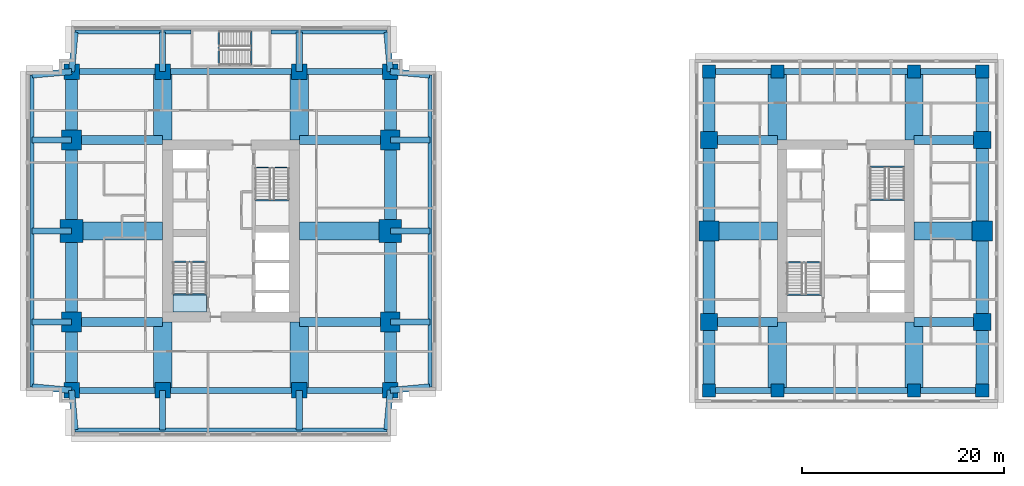
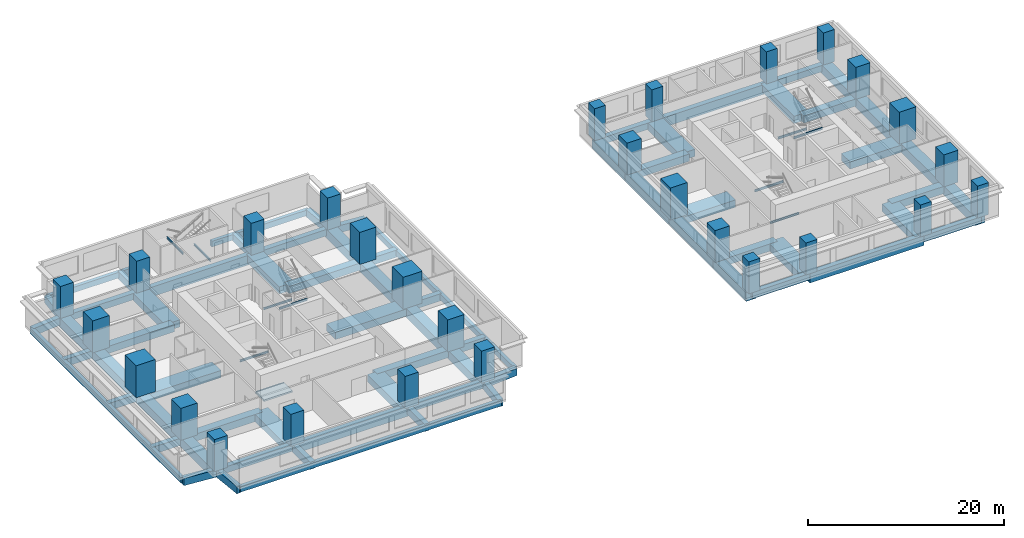
# One storey, part 1 of 11: 81 beams, 28 columns, 1 slab, 1 element without a shape of its own.
"""IFC4 building model written with IfcOpenShell, lengths in metres."""

from ifc_helpers import new_model, si_unit, direction, frame, origin, origin_2d, place, context, subcontext, project, spatial, polyline, rectangle, i_section, outline, extrude, material, layer, layer_set, material_profile, profile_set, type_object, element, aggregate, save


model = new_model("IFC4")

# Units and contexts
model_context = context("Model", 3, precision=1e-05, world=origin(), true_north=direction((0.0, 1.0)))
body_context = subcontext(model_context, "Body", "Model", "MODEL_VIEW")
ifc_project = project(units=[si_unit("LENGTHUNIT", "METRE"), si_unit("AREAUNIT", "SQUARE_METRE"), si_unit("VOLUMEUNIT", "CUBIC_METRE"), si_unit("PLANEANGLEUNIT", "RADIAN"), si_unit("MASSUNIT", "GRAM", prefix="KILO")], contexts=[model_context])

# Site, building, storey
site_placement = place(None, origin())
site = spatial("IfcSite", under=ifc_project, at=site_placement, CompositionType="ELEMENT")
building_placement = place(site_placement, origin())
building = spatial("IfcBuilding", under=site, at=building_placement, Name="Namib Vertical Campus", CompositionType="ELEMENT")
storey_placement = place(building_placement, frame((0.0, 0.0, 225.0)))
storey = spatial("IfcBuildingStorey", under=building, at=storey_placement, Name="L53", CompositionType="ELEMENT", Elevation=225.0)

# Columns
ifc_material_1 = material(Name="Concrete C60/75", Category="concrete")
ifc_material_profile_1 = material_profile(ifc_material_1, rectangle(XDim=1.300048828125, YDim=1.300048828125, at=origin_2d()))
ifc_profile_set_1 = profile_set([ifc_material_profile_1], Name="Concrete C60/75")
column_type_1 = type_object("IfcColumnType", Name="Column RC 1300x1300", PredefinedType="COLUMN", material=ifc_profile_set_1)
for number, where, z_axis, x_axis, name in (
    (1, (67.5, 4.5, 0.0), (0.0, 0.0, 1.0), (1.0, 0.0, 0.0), "Column C130 L53"),
    (2, (74.25, 4.5, 0.0), (0.0, 0.0, 1.0), (1.0, 0.0, 0.0), "Column C130 L53"),
    (3, (87.75, 4.5, 0.0), (0.0, 0.0, 1.0), (1.0, 0.0, 0.0), "Column C130 L53"),
    (4, (94.5, 4.5, 0.0), (0.0, 0.0, 1.0), (1.0, 0.0, 0.0), "Column C130 L53"),
    (5, (67.5, 36.0, 0.0), (0.0, 0.0, 1.0), (1.0, 0.0, 0.0), "Column C130 L53"),
    (6, (74.25, 36.0, 0.0), (0.0, 0.0, 1.0), (1.0, 0.0, 0.0), "Column C130 L53"),
    (7, (87.75, 36.0, 0.0), (0.0, 0.0, 1.0), (1.0, 0.0, 0.0), "Column C130 L53"),
    (8, (94.5, 36.0, 0.0), (0.0, 0.0, 1.0), (1.0, 0.0, 0.0), "Column C130 L53"),
):
    element("IfcColumn", number, at=place(storey_placement, frame(where, z_axis=z_axis, x_axis=x_axis)), inside=storey, type_object=column_type_1, Name=name, PredefinedType="COLUMN", context=body_context, shape_type="SweptSolid", body=[
        extrude(rectangle(XDim=1.300048828125, YDim=1.300048828125, at=origin_2d()), origin(), (0.0, 0.0, 1.0), 4.0),
    ])
ifc_material_2 = material(Name="Concrete C60/75", Category="concrete")
ifc_material_profile_2 = material_profile(ifc_material_2, rectangle(XDim=1.550048828125, YDim=1.550048828125, at=origin_2d()))
ifc_profile_set_2 = profile_set([ifc_material_profile_2], Name="Concrete C60/75")
column_type_2 = type_object("IfcColumnType", Name="Column RC 1550x1550", PredefinedType="COLUMN", material=ifc_profile_set_2)
for number, where, z_axis, x_axis, name in (
    (9, (4.5, 4.5, 0.0), (0.0, 0.0, 1.0), (1.0, 0.0, 0.0), "Column C155 L53"),
    (10, (13.5, 4.5, 0.0), (0.0, 0.0, 1.0), (1.0, 0.0, 0.0), "Column C155 L53"),
    (11, (27.0, 4.5, 0.0), (0.0, 0.0, 1.0), (1.0, 0.0, 0.0), "Column C155 L53"),
    (12, (36.0, 4.5, 0.0), (0.0, 0.0, 1.0), (1.0, 0.0, 0.0), "Column C155 L53"),
    (13, (4.5, 36.0, 0.0), (0.0, 0.0, 1.0), (1.0, 0.0, 0.0), "Column C155 L53"),
    (14, (13.5, 36.0, 0.0), (0.0, 0.0, 1.0), (1.0, 0.0, 0.0), "Column C155 L53"),
    (15, (27.0, 36.0, 0.0), (0.0, 0.0, 1.0), (1.0, 0.0, 0.0), "Column C155 L53"),
    (16, (36.0, 36.0, 0.0), (0.0, 0.0, 1.0), (1.0, 0.0, 0.0), "Column C155 L53"),
):
    element("IfcColumn", number, at=place(storey_placement, frame(where, z_axis=z_axis, x_axis=x_axis)), inside=storey, type_object=column_type_2, Name=name, PredefinedType="COLUMN", context=body_context, shape_type="SweptSolid", body=[
        extrude(rectangle(XDim=1.550048828125, YDim=1.550048828125, at=origin_2d()), origin(), (0.0, 0.0, 1.0), 4.0),
    ])
ifc_material_3 = material(Name="Concrete C60/75", Category="concrete")
ifc_material_profile_3 = material_profile(ifc_material_3, rectangle(XDim=1.699951171875, YDim=1.699951171875, at=origin_2d()))
ifc_profile_set_3 = profile_set([ifc_material_profile_3], Name="Concrete C60/75")
column_type_3 = type_object("IfcColumnType", Name="Column RC 1700x1700", PredefinedType="COLUMN", material=ifc_profile_set_3)
for number, where, z_axis, x_axis, name in (
    (17, (67.5, 11.25, 0.0), (0.0, 0.0, 1.0), (1.0, 0.0, 0.0), "Column C170 L53"),
    (18, (94.5, 11.25, 0.0), (0.0, 0.0, 1.0), (1.0, 0.0, 0.0), "Column C170 L53"),
    (19, (67.5, 29.25, 0.0), (0.0, 0.0, 1.0), (1.0, 0.0, 0.0), "Column C170 L53"),
    (20, (94.5, 29.25, 0.0), (0.0, 0.0, 1.0), (1.0, 0.0, 0.0), "Column C170 L53"),
):
    element("IfcColumn", number, at=place(storey_placement, frame(where, z_axis=z_axis, x_axis=x_axis)), inside=storey, type_object=column_type_3, Name=name, PredefinedType="COLUMN", context=body_context, shape_type="SweptSolid", body=[
        extrude(rectangle(XDim=1.699951171875, YDim=1.699951171875, at=origin_2d()), origin(), (0.0, 0.0, 1.0), 4.0),
    ])
ifc_material_4 = material(Name="Concrete C60/75", Category="concrete")
ifc_material_profile_4 = material_profile(ifc_material_4, rectangle(XDim=1.949951171875, YDim=1.949951171875, at=origin_2d()))
ifc_profile_set_4 = profile_set([ifc_material_profile_4], Name="Concrete C60/75")
column_type_4 = type_object("IfcColumnType", Name="Column RC 1950x1950", PredefinedType="COLUMN", material=ifc_profile_set_4)
for number, where, z_axis, x_axis, name in (
    (21, (4.5, 11.25, 0.0), (0.0, 0.0, 1.0), (1.0, 0.0, 0.0), "Column C195 L53"),
    (22, (36.0, 11.25, 0.0), (0.0, 0.0, 1.0), (1.0, 0.0, 0.0), "Column C195 L53"),
    (23, (4.5, 29.25, 0.0), (0.0, 0.0, 1.0), (1.0, 0.0, 0.0), "Column C195 L53"),
    (24, (36.0, 29.25, 0.0), (0.0, 0.0, 1.0), (1.0, 0.0, 0.0), "Column C195 L53"),
):
    element("IfcColumn", number, at=place(storey_placement, frame(where, z_axis=z_axis, x_axis=x_axis)), inside=storey, type_object=column_type_4, Name=name, PredefinedType="COLUMN", context=body_context, shape_type="SweptSolid", body=[
        extrude(rectangle(XDim=1.949951171875, YDim=1.949951171875, at=origin_2d()), origin(), (0.0, 0.0, 1.0), 4.0),
    ])
ifc_material_5 = material(Name="Concrete C60/75", Category="concrete")
ifc_material_profile_5 = material_profile(ifc_material_5, rectangle(XDim=2.0, YDim=2.0, at=origin_2d()))
ifc_profile_set_5 = profile_set([ifc_material_profile_5], Name="Concrete C60/75")
column_type_5 = type_object("IfcColumnType", Name="Column RC 2000x2000", PredefinedType="COLUMN", material=ifc_profile_set_5)
for number, where, z_axis, x_axis, name in (
    (25, (67.5, 20.25, 0.0), (0.0, 0.0, 1.0), (1.0, 0.0, 0.0), "Column C200 L53"),
    (26, (94.5, 20.25, 0.0), (0.0, 0.0, 1.0), (1.0, 0.0, 0.0), "Column C200 L53"),
):
    element("IfcColumn", number, at=place(storey_placement, frame(where, z_axis=z_axis, x_axis=x_axis)), inside=storey, type_object=column_type_5, Name=name, PredefinedType="COLUMN", context=body_context, shape_type="SweptSolid", body=[
        extrude(rectangle(XDim=2.0, YDim=2.0, at=origin_2d()), origin(), (0.0, 0.0, 1.0), 4.0),
    ])
ifc_material_6 = material(Name="Concrete C60/75", Category="concrete")
ifc_material_profile_6 = material_profile(ifc_material_6, rectangle(XDim=2.25, YDim=2.25, at=origin_2d()))
ifc_profile_set_6 = profile_set([ifc_material_profile_6], Name="Concrete C60/75")
column_type_6 = type_object("IfcColumnType", Name="Column RC 2250x2250", PredefinedType="COLUMN", material=ifc_profile_set_6)
for number, where, z_axis, x_axis, name in (
    (27, (4.5, 20.25, 0.0), (0.0, 0.0, 1.0), (1.0, 0.0, 0.0), "Column C225 L53"),
    (28, (36.0, 20.25, 0.0), (0.0, 0.0, 1.0), (1.0, 0.0, 0.0), "Column C225 L53"),
):
    element("IfcColumn", number, at=place(storey_placement, frame(where, z_axis=z_axis, x_axis=x_axis)), inside=storey, type_object=column_type_6, Name=name, PredefinedType="COLUMN", context=body_context, shape_type="SweptSolid", body=[
        extrude(rectangle(XDim=2.25, YDim=2.25, at=origin_2d()), origin(), (0.0, 0.0, 1.0), 4.0),
    ])

# Beams
ifc_material_7 = material(Name="Concrete C40/50", Category="concrete")
ifc_material_profile_7 = material_profile(ifc_material_7, rectangle(XDim=0.60009765625, YDim=0.89990234375, at=origin_2d()))
ifc_profile_set_7 = profile_set([ifc_material_profile_7], Name="Concrete C40/50")
beam_type_1 = type_object("IfcBeamType", Name="Cantilever girder RC 600x900", PredefinedType="BEAM", material=ifc_profile_set_7)
beam_1_placement = place(storey_placement, frame((4.5, 4.5, -0.699951171875), z_axis=(0.089411326146, -0.995994786511, 0.0), x_axis=(0.995994786511, 0.089411326146, 0.0)))
element("IfcBeam", 29, at=beam_1_placement, inside=storey, type_object=beam_type_1, Name="Beam B3 L53", PredefinedType="BEAM", context=body_context, shape_type="SweptSolid", body=[
    extrude(rectangle(XDim=0.60009765625, YDim=0.89990234375, at=origin_2d()), origin(), (0.0, 0.0, 1.0), 3.91552734375),
])
for number, where, z_axis, x_axis, name in (
    (30, (13.5, 4.5, -0.699951171875), (0.0, -1.0, 0.0), (1.0, 0.0, 0.0), "Beam B3 L53"),
    (31, (27.0, 4.5, -0.699951171875), (0.0, -1.0, 0.0), (1.0, 0.0, 0.0), "Beam B3 L53"),
):
    element("IfcBeam", number, at=place(storey_placement, frame(where, z_axis=z_axis, x_axis=x_axis)), inside=storey, type_object=beam_type_1, Name=name, PredefinedType="BEAM", context=body_context, shape_type="SweptSolid", body=[
        extrude(rectangle(XDim=0.60009765625, YDim=0.89990234375, at=origin_2d()), origin(), (0.0, 0.0, 1.0), 3.89990234375),
    ])
for number, where, z_axis, x_axis, name in (
    (32, (36.0, 4.5, -0.699951171875), (-0.089411326146, -0.995994786511, 0.0), (0.995994786511, -0.089411326146, 0.0), "Beam B3 L53"),
    (33, (4.5, 36.0, -0.699951171875), (0.089411326146, 0.995994786511, 0.0), (-0.995994786511, 0.089411326146, 0.0), "Beam B3 L53"),
):
    element("IfcBeam", number, at=place(storey_placement, frame(where, z_axis=z_axis, x_axis=x_axis)), inside=storey, type_object=beam_type_1, Name=name, PredefinedType="BEAM", context=body_context, shape_type="SweptSolid", body=[
        extrude(rectangle(XDim=0.60009765625, YDim=0.89990234375, at=origin_2d()), origin(), (0.0, 0.0, 1.0), 3.91552734375),
    ])
for number, where, z_axis, x_axis, name in (
    (34, (13.5, 36.0, -0.699951171875), (0.0, 1.0, 0.0), (-1.0, 0.0, 0.0), "Beam B3 L53"),
    (35, (27.0, 36.0, -0.699951171875), (0.0, 1.0, 0.0), (-1.0, 0.0, 0.0), "Beam B3 L53"),
):
    element("IfcBeam", number, at=place(storey_placement, frame(where, z_axis=z_axis, x_axis=x_axis)), inside=storey, type_object=beam_type_1, Name=name, PredefinedType="BEAM", context=body_context, shape_type="SweptSolid", body=[
        extrude(rectangle(XDim=0.60009765625, YDim=0.89990234375, at=origin_2d()), origin(), (0.0, 0.0, 1.0), 3.89990234375),
    ])
for number, where, z_axis, x_axis, name in (
    (36, (36.0, 36.0, -0.699951171875), (-0.089411326146, 0.995994786511, 0.0), (-0.995994786511, -0.089411326146, 0.0), "Beam B3 L53"),
    (37, (4.5, 4.5, -0.699951171875), (-0.995994786511, 0.089411326146, 0.0), (-0.089411326146, -0.995994786511, 0.0), "Beam B3 L53"),
):
    element("IfcBeam", number, at=place(storey_placement, frame(where, z_axis=z_axis, x_axis=x_axis)), inside=storey, type_object=beam_type_1, Name=name, PredefinedType="BEAM", context=body_context, shape_type="SweptSolid", body=[
        extrude(rectangle(XDim=0.60009765625, YDim=0.89990234375, at=origin_2d()), origin(), (0.0, 0.0, 1.0), 3.91552734375),
    ])
for number, where, z_axis, x_axis, name in (
    (38, (4.5, 11.25, -0.699951171875), (-1.0, 0.0, 0.0), (0.0, -1.0, 0.0), "Beam B3 L53"),
    (39, (4.5, 20.25, -0.699951171875), (-1.0, 0.0, 0.0), (0.0, -1.0, 0.0), "Beam B3 L53"),
    (40, (4.5, 29.25, -0.699951171875), (-1.0, 0.0, 0.0), (0.0, -1.0, 0.0), "Beam B3 L53"),
):
    element("IfcBeam", number, at=place(storey_placement, frame(where, z_axis=z_axis, x_axis=x_axis)), inside=storey, type_object=beam_type_1, Name=name, PredefinedType="BEAM", context=body_context, shape_type="SweptSolid", body=[
        extrude(rectangle(XDim=0.60009765625, YDim=0.89990234375, at=origin_2d()), origin(), (0.0, 0.0, 1.0), 3.89990234375),
    ])
for number, where, z_axis, x_axis, name in (
    (41, (4.5, 36.0, -0.699951171875), (-0.995994786511, -0.089411326146, 0.0), (0.089411326146, -0.995994786511, 0.0), "Beam B3 L53"),
    (42, (36.0, 4.5, -0.699951171875), (0.995994786511, 0.089411326146, 0.0), (-0.089411326146, 0.995994786511, 0.0), "Beam B3 L53"),
):
    element("IfcBeam", number, at=place(storey_placement, frame(where, z_axis=z_axis, x_axis=x_axis)), inside=storey, type_object=beam_type_1, Name=name, PredefinedType="BEAM", context=body_context, shape_type="SweptSolid", body=[
        extrude(rectangle(XDim=0.60009765625, YDim=0.89990234375, at=origin_2d()), origin(), (0.0, 0.0, 1.0), 3.91552734375),
    ])
for number, where, z_axis, x_axis, name in (
    (43, (36.0, 11.25, -0.699951171875), (1.0, 0.0, 0.0), (0.0, 1.0, 0.0), "Beam B3 L53"),
    (44, (36.0, 20.25, -0.699951171875), (1.0, 0.0, 0.0), (0.0, 1.0, 0.0), "Beam B3 L53"),
    (45, (36.0, 29.25, -0.699951171875), (1.0, 0.0, 0.0), (0.0, 1.0, 0.0), "Beam B3 L53"),
):
    element("IfcBeam", number, at=place(storey_placement, frame(where, z_axis=z_axis, x_axis=x_axis)), inside=storey, type_object=beam_type_1, Name=name, PredefinedType="BEAM", context=body_context, shape_type="SweptSolid", body=[
        extrude(rectangle(XDim=0.60009765625, YDim=0.89990234375, at=origin_2d()), origin(), (0.0, 0.0, 1.0), 3.89990234375),
    ])
beam_2_placement = place(storey_placement, frame((36.0, 36.0, -0.699951171875), z_axis=(0.995994786511, -0.089411326146, 0.0), x_axis=(0.089411326146, 0.995994786511, 0.0)))
element("IfcBeam", 46, at=beam_2_placement, inside=storey, type_object=beam_type_1, Name="Beam B3 L53", PredefinedType="BEAM", context=body_context, shape_type="SweptSolid", body=[
    extrude(rectangle(XDim=0.60009765625, YDim=0.89990234375, at=origin_2d()), origin(), (0.0, 0.0, 1.0), 3.91552734375),
])
ifc_material_8 = material(Name="Concrete C40/50", Category="concrete")
ifc_material_profile_8 = material_profile(ifc_material_8, rectangle(XDim=0.39990234375, YDim=0.699951171875, at=origin_2d()))
ifc_profile_set_8 = profile_set([ifc_material_profile_8], Name="Concrete C40/50")
beam_type_2 = type_object("IfcBeamType", Name="Edge beam RC 400x700", PredefinedType="SPANDREL", material=ifc_profile_set_8)
beam_3_placement = place(storey_placement, frame((4.85009765625, 0.60009765625, -0.60009765625), z_axis=(1.0, 0.0, 0.0), x_axis=(0.0, 1.0, 0.0)))
element("IfcBeam", 47, at=beam_3_placement, inside=storey, type_object=beam_type_2, Name="Beam B4 L53", PredefinedType="SPANDREL", context=body_context, shape_type="SweptSolid", body=[
    extrude(rectangle(XDim=0.39990234375, YDim=0.699951171875, at=origin_2d()), origin(), (0.0, 0.0, 1.0), 30.7998046875),
])
for number, where, z_axis, x_axis, name in (
    (48, (4.85009765625, 39.89990234375, -0.60009765625), (1.0, 0.0, 0.0), (0.0, 1.0, 0.0), "Beam B4 L53"),
    (49, (24.199951171875, 39.89990234375, -0.60009765625), (1.0, 0.0, 0.0), (0.0, 1.0, 0.0), "Beam B4 L53"),
):
    element("IfcBeam", number, at=place(storey_placement, frame(where, z_axis=z_axis, x_axis=x_axis)), inside=storey, type_object=beam_type_2, Name=name, PredefinedType="SPANDREL", context=body_context, shape_type="SweptSolid", body=[
        extrude(rectangle(XDim=0.39990234375, YDim=0.699951171875, at=origin_2d()), origin(), (0.0, 0.0, 1.0), 11.449951171875),
    ])
for number, where, z_axis, x_axis, name in (
    (50, (0.60009765625, 4.85009765625, -0.60009765625), (0.0, 1.0, 0.0), (-1.0, 0.0, 0.0), "Beam B4 L53"),
    (51, (39.89990234375, 4.85009765625, -0.60009765625), (0.0, 1.0, 0.0), (-1.0, 0.0, 0.0), "Beam B4 L53"),
):
    element("IfcBeam", number, at=place(storey_placement, frame(where, z_axis=z_axis, x_axis=x_axis)), inside=storey, type_object=beam_type_2, Name=name, PredefinedType="SPANDREL", context=body_context, shape_type="SweptSolid", body=[
        extrude(rectangle(XDim=0.39990234375, YDim=0.699951171875, at=origin_2d()), origin(), (0.0, 0.0, 1.0), 30.7998046875),
    ])
ifc_material_9 = material(Name="Concrete C40/50", Category="concrete")
ifc_material_profile_9 = material_profile(ifc_material_9, rectangle(XDim=0.89990234375, YDim=0.89990234375, at=origin_2d()))
ifc_profile_set_9 = profile_set([ifc_material_profile_9], Name="Concrete C40/50")
beam_type_3 = type_object("IfcBeamType", Name="Face girder RC 900x900", PredefinedType="BEAM", material=ifc_profile_set_9)
for number, where, z_axis, x_axis, name in (
    (52, (4.5, 11.25, -0.699951171875), (1.0, 0.0, 0.0), (0.0, 1.0, 0.0), "Beam B10 L53"),
    (53, (36.0, 11.25, -0.699951171875), (-1.0, 0.0, 0.0), (0.0, -1.0, 0.0), "Beam B10 L53"),
    (54, (4.5, 29.25, -0.699951171875), (1.0, 0.0, 0.0), (0.0, 1.0, 0.0), "Beam B10 L53"),
    (55, (36.0, 29.25, -0.699951171875), (-1.0, 0.0, 0.0), (0.0, -1.0, 0.0), "Beam B10 L53"),
):
    element("IfcBeam", number, at=place(storey_placement, frame(where, z_axis=z_axis, x_axis=x_axis)), inside=storey, type_object=beam_type_3, Name=name, PredefinedType="BEAM", context=body_context, shape_type="SweptSolid", body=[
        extrude(rectangle(XDim=0.89990234375, YDim=0.89990234375, at=origin_2d()), origin(), (0.0, 0.0, 1.0), 9.0),
    ])
for number, where, z_axis, x_axis, name in (
    (56, (67.5, 11.25, -0.699951171875), (1.0, 0.0, 0.0), (0.0, 1.0, 0.0), "Beam B10 L53"),
    (57, (94.5, 11.25, -0.699951171875), (-1.0, 0.0, 0.0), (0.0, -1.0, 0.0), "Beam B10 L53"),
    (58, (67.5, 29.25, -0.699951171875), (1.0, 0.0, 0.0), (0.0, 1.0, 0.0), "Beam B10 L53"),
    (59, (94.5, 29.25, -0.699951171875), (-1.0, 0.0, 0.0), (0.0, -1.0, 0.0), "Beam B10 L53"),
):
    element("IfcBeam", number, at=place(storey_placement, frame(where, z_axis=z_axis, x_axis=x_axis)), inside=storey, type_object=beam_type_3, Name=name, PredefinedType="BEAM", context=body_context, shape_type="SweptSolid", body=[
        extrude(rectangle(XDim=0.89990234375, YDim=0.89990234375, at=origin_2d()), origin(), (0.0, 0.0, 1.0), 6.75),
    ])
ifc_material_10 = material(Name="Concrete C40/50", Category="concrete")
ifc_material_profile_10 = material_profile(ifc_material_10, rectangle(XDim=1.199951171875, YDim=1.10009765625, at=origin_2d()))
ifc_profile_set_10 = profile_set([ifc_material_profile_10], Name="Concrete C40/50")
beam_type_4 = type_object("IfcBeamType", Name="Face ring beam RC 1200x1100", PredefinedType="BEAM", material=ifc_profile_set_10)
beam_4_placement = place(storey_placement, frame((4.5, 4.5, -0.800048828125), z_axis=(0.0, 1.0, 0.0), x_axis=(-1.0, 0.0, 0.0)))
element("IfcBeam", 60, at=beam_4_placement, inside=storey, type_object=beam_type_4, Name="Beam B11 L53", PredefinedType="BEAM", context=body_context, shape_type="SweptSolid", body=[
    extrude(rectangle(XDim=1.199951171875, YDim=1.10009765625, at=origin_2d()), origin(), (0.0, 0.0, 1.0), 6.75),
])
for number, where, z_axis, x_axis, name in (
    (61, (4.5, 11.25, -0.800048828125), (0.0, 1.0, 0.0), (-1.0, 0.0, 0.0), "Beam B11 L53"),
    (62, (4.5, 20.25, -0.800048828125), (0.0, 1.0, 0.0), (-1.0, 0.0, 0.0), "Beam B11 L53"),
):
    element("IfcBeam", number, at=place(storey_placement, frame(where, z_axis=z_axis, x_axis=x_axis)), inside=storey, type_object=beam_type_4, Name=name, PredefinedType="BEAM", context=body_context, shape_type="SweptSolid", body=[
        extrude(rectangle(XDim=1.199951171875, YDim=1.10009765625, at=origin_2d()), origin(), (0.0, 0.0, 1.0), 9.0),
    ])
for number, where, z_axis, x_axis, name in (
    (63, (4.5, 29.25, -0.800048828125), (0.0, 1.0, 0.0), (-1.0, 0.0, 0.0), "Beam B11 L53"),
    (64, (36.0, 4.5, -0.800048828125), (0.0, 1.0, 0.0), (-1.0, 0.0, 0.0), "Beam B11 L53"),
):
    element("IfcBeam", number, at=place(storey_placement, frame(where, z_axis=z_axis, x_axis=x_axis)), inside=storey, type_object=beam_type_4, Name=name, PredefinedType="BEAM", context=body_context, shape_type="SweptSolid", body=[
        extrude(rectangle(XDim=1.199951171875, YDim=1.10009765625, at=origin_2d()), origin(), (0.0, 0.0, 1.0), 6.75),
    ])
for number, where, z_axis, x_axis, name in (
    (65, (36.0, 11.25, -0.800048828125), (0.0, 1.0, 0.0), (-1.0, 0.0, 0.0), "Beam B11 L53"),
    (66, (36.0, 20.25, -0.800048828125), (0.0, 1.0, 0.0), (-1.0, 0.0, 0.0), "Beam B11 L53"),
):
    element("IfcBeam", number, at=place(storey_placement, frame(where, z_axis=z_axis, x_axis=x_axis)), inside=storey, type_object=beam_type_4, Name=name, PredefinedType="BEAM", context=body_context, shape_type="SweptSolid", body=[
        extrude(rectangle(XDim=1.199951171875, YDim=1.10009765625, at=origin_2d()), origin(), (0.0, 0.0, 1.0), 9.0),
    ])
for number, where, z_axis, x_axis, name in (
    (67, (36.0, 29.25, -0.800048828125), (0.0, 1.0, 0.0), (-1.0, 0.0, 0.0), "Beam B11 L53"),
    (68, (67.5, 4.5, -0.800048828125), (0.0, 1.0, 0.0), (-1.0, 0.0, 0.0), "Beam B11 L53"),
):
    element("IfcBeam", number, at=place(storey_placement, frame(where, z_axis=z_axis, x_axis=x_axis)), inside=storey, type_object=beam_type_4, Name=name, PredefinedType="BEAM", context=body_context, shape_type="SweptSolid", body=[
        extrude(rectangle(XDim=1.199951171875, YDim=1.10009765625, at=origin_2d()), origin(), (0.0, 0.0, 1.0), 6.75),
    ])
for number, where, z_axis, x_axis, name in (
    (69, (67.5, 11.25, -0.800048828125), (0.0, 1.0, 0.0), (-1.0, 0.0, 0.0), "Beam B11 L53"),
    (70, (67.5, 20.25, -0.800048828125), (0.0, 1.0, 0.0), (-1.0, 0.0, 0.0), "Beam B11 L53"),
):
    element("IfcBeam", number, at=place(storey_placement, frame(where, z_axis=z_axis, x_axis=x_axis)), inside=storey, type_object=beam_type_4, Name=name, PredefinedType="BEAM", context=body_context, shape_type="SweptSolid", body=[
        extrude(rectangle(XDim=1.199951171875, YDim=1.10009765625, at=origin_2d()), origin(), (0.0, 0.0, 1.0), 9.0),
    ])
for number, where, z_axis, x_axis, name in (
    (71, (67.5, 29.25, -0.800048828125), (0.0, 1.0, 0.0), (-1.0, 0.0, 0.0), "Beam B11 L53"),
    (72, (94.5, 4.5, -0.800048828125), (0.0, 1.0, 0.0), (-1.0, 0.0, 0.0), "Beam B11 L53"),
):
    element("IfcBeam", number, at=place(storey_placement, frame(where, z_axis=z_axis, x_axis=x_axis)), inside=storey, type_object=beam_type_4, Name=name, PredefinedType="BEAM", context=body_context, shape_type="SweptSolid", body=[
        extrude(rectangle(XDim=1.199951171875, YDim=1.10009765625, at=origin_2d()), origin(), (0.0, 0.0, 1.0), 6.75),
    ])
for number, where, z_axis, x_axis, name in (
    (73, (94.5, 11.25, -0.800048828125), (0.0, 1.0, 0.0), (-1.0, 0.0, 0.0), "Beam B11 L53"),
    (74, (94.5, 20.25, -0.800048828125), (0.0, 1.0, 0.0), (-1.0, 0.0, 0.0), "Beam B11 L53"),
):
    element("IfcBeam", number, at=place(storey_placement, frame(where, z_axis=z_axis, x_axis=x_axis)), inside=storey, type_object=beam_type_4, Name=name, PredefinedType="BEAM", context=body_context, shape_type="SweptSolid", body=[
        extrude(rectangle(XDim=1.199951171875, YDim=1.10009765625, at=origin_2d()), origin(), (0.0, 0.0, 1.0), 9.0),
    ])
beam_5_placement = place(storey_placement, frame((94.5, 29.25, -0.800048828125), z_axis=(0.0, 1.0, 0.0), x_axis=(-1.0, 0.0, 0.0)))
element("IfcBeam", 75, at=beam_5_placement, inside=storey, type_object=beam_type_4, Name="Beam B11 L53", PredefinedType="BEAM", context=body_context, shape_type="SweptSolid", body=[
    extrude(rectangle(XDim=1.199951171875, YDim=1.10009765625, at=origin_2d()), origin(), (0.0, 0.0, 1.0), 6.75),
])
ifc_material_11 = material(Name="Steel S355JR", Category="steel")
ifc_material_profile_11 = material_profile(ifc_material_11, i_section(OverallWidth=0.14599609375, OverallDepth=0.25146484375, WebThickness=0.006103515625, FlangeThickness=0.008544921875, FilletRadius=0.007568359375, at=origin_2d()))
ifc_profile_set_11 = profile_set([ifc_material_profile_11], Name="Steel S355JR")
beam_type_5 = type_object("IfcBeamType", Name="Landing trimmer UB 254x146x31", PredefinedType="BEAM", material=ifc_profile_set_11)
for number, where, z_axis, x_axis, name in (
    (76, (14.5, 13.97705078125, -0.125732421875), (1.0, 0.0, 0.0), (0.0, 1.0, 0.0), "Landing trimmer LT1 A-S1 L53 1"),
    (77, (14.5, 17.203125, 1.874267578125), (1.0, 0.0, 0.0), (0.0, 1.0, 0.0), "Landing trimmer LT1 A-S1 L53 2"),
    (78, (22.64990234375, 26.52294921875, -0.125732421875), (1.0, 0.0, 0.0), (0.0, 1.0, 0.0), "Landing trimmer LT1 A-S2 L53 1"),
    (79, (22.64990234375, 23.296875, 1.874267578125), (1.0, 0.0, 0.0), (0.0, 1.0, 0.0), "Landing trimmer LT1 A-S2 L53 2"),
):
    element("IfcBeam", number, at=place(storey_placement, frame(where, z_axis=z_axis, x_axis=x_axis)), inside=storey, type_object=beam_type_5, Name=name, PredefinedType="BEAM", context=body_context, shape_type="SweptSolid", body=[
        extrude(i_section(OverallWidth=0.14599609375, OverallDepth=0.25146484375, WebThickness=0.006103515625, FlangeThickness=0.008544921875, FilletRadius=0.007568359375, at=origin_2d()), origin(), (0.0, 0.0, 1.0), 3.35009765625),
    ])
for number, where, z_axis, x_axis, name in (
    (80, (75.199951171875, 13.927001953125, -0.125732421875), (1.0, 0.0, 0.0), (0.0, 1.0, 0.0), "Landing trimmer LT1 B-S1 L53 1"),
    (81, (75.199951171875, 17.153076171875, 1.874267578125), (1.0, 0.0, 0.0), (0.0, 1.0, 0.0), "Landing trimmer LT1 B-S1 L53 2"),
    (82, (83.39990234375, 26.572998046875, -0.125732421875), (1.0, 0.0, 0.0), (0.0, 1.0, 0.0), "Landing trimmer LT1 B-S2 L53 1"),
    (83, (83.39990234375, 23.346923828125, 1.874267578125), (1.0, 0.0, 0.0), (0.0, 1.0, 0.0), "Landing trimmer LT1 B-S2 L53 2"),
):
    element("IfcBeam", number, at=place(storey_placement, frame(where, z_axis=z_axis, x_axis=x_axis)), inside=storey, type_object=beam_type_5, Name=name, PredefinedType="BEAM", context=body_context, shape_type="SweptSolid", body=[
        extrude(i_section(OverallWidth=0.14599609375, OverallDepth=0.25146484375, WebThickness=0.006103515625, FlangeThickness=0.008544921875, FilletRadius=0.007568359375, at=origin_2d()), origin(), (0.0, 0.0, 1.0), 3.400146484375),
    ])
for number, where, z_axis, x_axis, name in (
    (84, (22.27294921875, 36.64990234375, -0.125732421875), (0.0, 1.0, 0.0), (-1.0, 0.0, 0.0), "Landing trimmer LT1 A-S3 L53 1"),
    (85, (19.046875, 36.64990234375, 1.874267578125), (0.0, 1.0, 0.0), (-1.0, 0.0, 0.0), "Landing trimmer LT1 A-S3 L53 2"),
):
    element("IfcBeam", number, at=place(storey_placement, frame(where, z_axis=z_axis, x_axis=x_axis)), inside=storey, type_object=beam_type_5, Name=name, PredefinedType="BEAM", context=body_context, shape_type="SweptSolid", body=[
        extrude(i_section(OverallWidth=0.14599609375, OverallDepth=0.25146484375, WebThickness=0.006103515625, FlangeThickness=0.008544921875, FilletRadius=0.007568359375, at=origin_2d()), origin(), (0.0, 0.0, 1.0), 3.35009765625),
    ])
ifc_material_12 = material(Name="Concrete C40/50", Category="concrete")
ifc_material_profile_12 = material_profile(ifc_material_12, rectangle(XDim=0.60009765625, YDim=1.199951171875, at=origin_2d()))
ifc_profile_set_12 = profile_set([ifc_material_profile_12], Name="Concrete C40/50")
beam_type_6 = type_object("IfcBeamType", Name="Long-span ring beam RC 600x1200", PredefinedType="BEAM", material=ifc_profile_set_12)
for number, where, z_axis, x_axis, name in (
    (86, (13.5, 4.5, -0.85009765625), (1.0, 0.0, 0.0), (0.0, 1.0, 0.0), "Beam B9 L53"),
    (87, (13.5, 36.0, -0.85009765625), (1.0, 0.0, 0.0), (0.0, 1.0, 0.0), "Beam B9 L53"),
    (88, (74.25, 4.5, -0.85009765625), (1.0, 0.0, 0.0), (0.0, 1.0, 0.0), "Beam B9 L53"),
    (89, (74.25, 36.0, -0.85009765625), (1.0, 0.0, 0.0), (0.0, 1.0, 0.0), "Beam B9 L53"),
):
    element("IfcBeam", number, at=place(storey_placement, frame(where, z_axis=z_axis, x_axis=x_axis)), inside=storey, type_object=beam_type_6, Name=name, PredefinedType="BEAM", context=body_context, shape_type="SweptSolid", body=[
        extrude(rectangle(XDim=0.60009765625, YDim=1.199951171875, at=origin_2d()), origin(), (0.0, 0.0, 1.0), 13.5),
    ])
ifc_material_13 = material(Name="Concrete C40/50", Category="concrete")
ifc_material_profile_13 = material_profile(ifc_material_13, rectangle(XDim=1.800048828125, YDim=0.89990234375, at=origin_2d()))
ifc_profile_set_13 = profile_set([ifc_material_profile_13], Name="Concrete C40/50")
beam_type_7 = type_object("IfcBeamType", Name="Outrigger line girder RC 1800x900", PredefinedType="BEAM", material=ifc_profile_set_13)
for number, where, z_axis, x_axis, name in (
    (90, (13.5, 4.5, -0.699951171875), (0.0, 1.0, 0.0), (-1.0, 0.0, 0.0), "Beam B12 L53"),
    (91, (13.5, 36.0, -0.699951171875), (0.0, -1.0, 0.0), (1.0, 0.0, 0.0), "Beam B12 L53"),
    (92, (27.0, 4.5, -0.699951171875), (0.0, 1.0, 0.0), (-1.0, 0.0, 0.0), "Beam B12 L53"),
    (93, (27.0, 36.0, -0.699951171875), (0.0, -1.0, 0.0), (1.0, 0.0, 0.0), "Beam B12 L53"),
):
    element("IfcBeam", number, at=place(storey_placement, frame(where, z_axis=z_axis, x_axis=x_axis)), inside=storey, type_object=beam_type_7, Name=name, PredefinedType="BEAM", context=body_context, shape_type="SweptSolid", body=[
        extrude(rectangle(XDim=1.800048828125, YDim=0.89990234375, at=origin_2d()), origin(), (0.0, 0.0, 1.0), 6.75),
    ])
for number, where, z_axis, x_axis, name in (
    (94, (4.5, 20.25, -0.699951171875), (1.0, 0.0, 0.0), (0.0, 1.0, 0.0), "Beam B12 L53"),
    (95, (36.0, 20.25, -0.699951171875), (-1.0, 0.0, 0.0), (0.0, -1.0, 0.0), "Beam B12 L53"),
):
    element("IfcBeam", number, at=place(storey_placement, frame(where, z_axis=z_axis, x_axis=x_axis)), inside=storey, type_object=beam_type_7, Name=name, PredefinedType="BEAM", context=body_context, shape_type="SweptSolid", body=[
        extrude(rectangle(XDim=1.800048828125, YDim=0.89990234375, at=origin_2d()), origin(), (0.0, 0.0, 1.0), 9.0),
    ])
for number, where, z_axis, x_axis, name in (
    (96, (74.25, 4.5, -0.699951171875), (0.0, 1.0, 0.0), (-1.0, 0.0, 0.0), "Beam B12 L53"),
    (97, (74.25, 36.0, -0.699951171875), (0.0, -1.0, 0.0), (1.0, 0.0, 0.0), "Beam B12 L53"),
    (98, (87.75, 4.5, -0.699951171875), (0.0, 1.0, 0.0), (-1.0, 0.0, 0.0), "Beam B12 L53"),
    (99, (87.75, 36.0, -0.699951171875), (0.0, -1.0, 0.0), (1.0, 0.0, 0.0), "Beam B12 L53"),
    (100, (67.5, 20.25, -0.699951171875), (1.0, 0.0, 0.0), (0.0, 1.0, 0.0), "Beam B12 L53"),
    (101, (94.5, 20.25, -0.699951171875), (-1.0, 0.0, 0.0), (0.0, -1.0, 0.0), "Beam B12 L53"),
):
    element("IfcBeam", number, at=place(storey_placement, frame(where, z_axis=z_axis, x_axis=x_axis)), inside=storey, type_object=beam_type_7, Name=name, PredefinedType="BEAM", context=body_context, shape_type="SweptSolid", body=[
        extrude(rectangle(XDim=1.800048828125, YDim=0.89990234375, at=origin_2d()), origin(), (0.0, 0.0, 1.0), 6.75),
    ])
ifc_material_14 = material(Name="Concrete C40/50", Category="concrete")
ifc_material_profile_14 = material_profile(ifc_material_14, rectangle(XDim=0.60009765625, YDim=0.800048828125, at=origin_2d()))
ifc_profile_set_14 = profile_set([ifc_material_profile_14], Name="Concrete C40/50")
beam_type_8 = type_object("IfcBeamType", Name="Ring beam RC 600x800", PredefinedType="BEAM", material=ifc_profile_set_14)
for number, where, z_axis, x_axis, name in (
    (102, (4.5, 4.5, -0.64990234375), (1.0, 0.0, 0.0), (0.0, 1.0, 0.0), "Beam B1 L53"),
    (103, (27.0, 4.5, -0.64990234375), (1.0, 0.0, 0.0), (0.0, 1.0, 0.0), "Beam B1 L53"),
    (104, (4.5, 36.0, -0.64990234375), (1.0, 0.0, 0.0), (0.0, 1.0, 0.0), "Beam B1 L53"),
    (105, (27.0, 36.0, -0.64990234375), (1.0, 0.0, 0.0), (0.0, 1.0, 0.0), "Beam B1 L53"),
):
    element("IfcBeam", number, at=place(storey_placement, frame(where, z_axis=z_axis, x_axis=x_axis)), inside=storey, type_object=beam_type_8, Name=name, PredefinedType="BEAM", context=body_context, shape_type="SweptSolid", body=[
        extrude(rectangle(XDim=0.60009765625, YDim=0.800048828125, at=origin_2d()), origin(), (0.0, 0.0, 1.0), 9.0),
    ])
for number, where, z_axis, x_axis, name in (
    (106, (67.5, 4.5, -0.64990234375), (1.0, 0.0, 0.0), (0.0, 1.0, 0.0), "Beam B1 L53"),
    (107, (87.75, 4.5, -0.64990234375), (1.0, 0.0, 0.0), (0.0, 1.0, 0.0), "Beam B1 L53"),
    (108, (67.5, 36.0, -0.64990234375), (1.0, 0.0, 0.0), (0.0, 1.0, 0.0), "Beam B1 L53"),
    (109, (87.75, 36.0, -0.64990234375), (1.0, 0.0, 0.0), (0.0, 1.0, 0.0), "Beam B1 L53"),
):
    element("IfcBeam", number, at=place(storey_placement, frame(where, z_axis=z_axis, x_axis=x_axis)), inside=storey, type_object=beam_type_8, Name=name, PredefinedType="BEAM", context=body_context, shape_type="SweptSolid", body=[
        extrude(rectangle(XDim=0.60009765625, YDim=0.800048828125, at=origin_2d()), origin(), (0.0, 0.0, 1.0), 6.75),
    ])

# Stair, slab
ifc_material_15 = material(Name="Concrete C40/50 precast", Category="concrete")
stair_type = type_object("IfcStairType", Name="Exit stair 4000 rise 24 risers 3350 wide", PredefinedType="HALF_TURN_STAIR", material=ifc_material_15)
stair_placement = place(storey_placement, origin())
stair = element("IfcStair", 110, at=stair_placement, inside=storey, type_object=stair_type, Name="Exit stair A-S1 L53", PredefinedType="HALF_TURN_STAIR")
ifc_material_16 = material(Name="Concrete C40/50", Category="concrete")
ifc_layer = layer(ifc_material_16, 0.199951171875)
ifc_layer_set = layer_set([ifc_layer], Name="Concrete C40/50")
slab_type = type_object("IfcSlabType", Name="Stair landing 200", PredefinedType="LANDING", material=ifc_layer_set)
slab_placement = place(storey_placement, frame((0.0, 0.0, -0.199951171875)))
slab = element("IfcSlab", 111, at=slab_placement, type_object=slab_type, Name="A-S1 landing 1", PredefinedType="LANDING", context=body_context, shape_type="SweptSolid", body=[
    extrude(outline(polyline([(14.5, 12.25), (17.85009765625, 12.25), (17.85009765625, 13.90380859375), (14.5, 13.90380859375), (14.5, 12.25)])), origin(), (0.0, 0.0, 1.0), 0.199951171875),
])
aggregate(stair, [slab])

save(model, "model.ifc")
